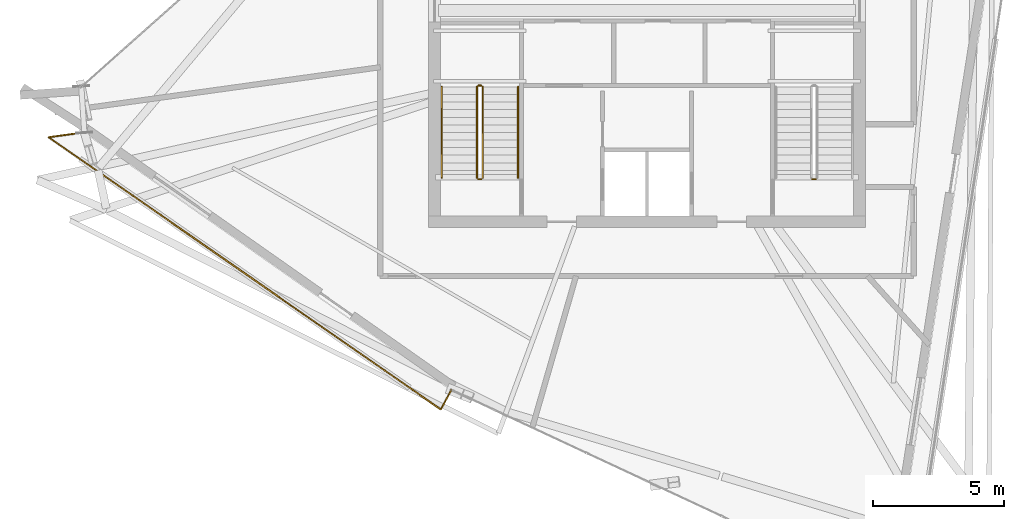
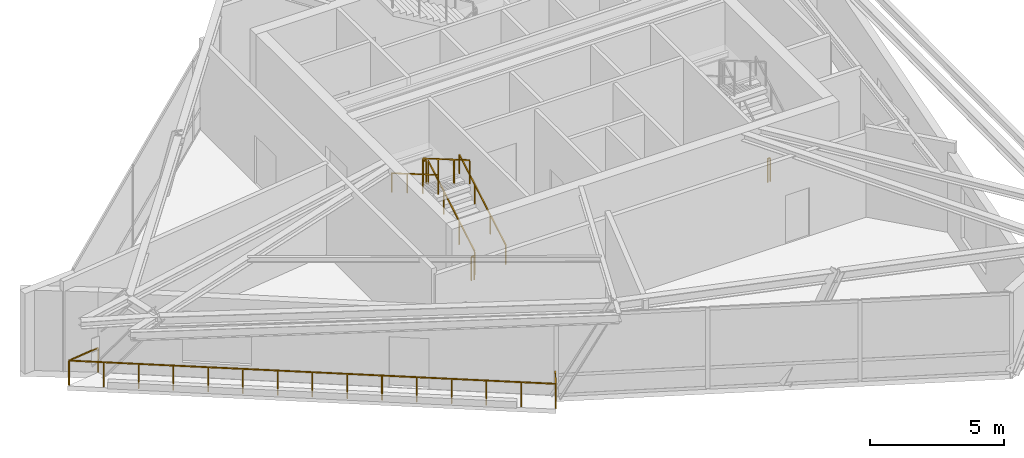
# One storey, part 20 of 22: 8 railings.
"""IFC4 building model written with IfcOpenShell, lengths in metres."""

import ifcopenshell
import ifcopenshell.guid

model = None  # the IFC model being written
_history = None  # IfcOwnerHistory: only IFC2X3 demands one
_inside = {}  # id of a spatial element -> (the spatial element, [elements in it])
_under = {}  # id of a project, library or spatial element -> (it, [spatial elements below it])
_declared = {}  # id of a project -> (the project, [libraries it declares])
_typed = {}  # id of a type object -> (the type object, [elements of that type])
_made_of = {}  # id of a material, layer set ... -> (it, [elements and type objects made of it])


def new_model(schema):
    """Start an empty IFC model of exactly this schema.

    Asked for "IFC4X3", IfcOpenShell would pick the latest addendum, in which some entities
    have other attributes; the version numbers below select the first issue.
    IFC2X3 requires an IfcOwnerHistory on every rooted entity: one is made here for all.
    """
    global model, _history
    if schema == "IFC4X3":
        model = ifcopenshell.file(schema_version=(4, 3, 0, 0))
    else:
        model = ifcopenshell.file(schema=schema)
    _inside.clear()
    _under.clear()
    _declared.clear()
    _typed.clear()
    _made_of.clear()
    _history = None
    if model.schema == "IFC2X3":
        org = make("IfcOrganization", Name="unknown")
        user = make(
            "IfcPersonAndOrganization",
            ThePerson=make("IfcPerson", FamilyName="unknown"),
            TheOrganization=org,
        )
        app = make(
            "IfcApplication",
            ApplicationDeveloper=org,
            Version="unknown",
            ApplicationFullName="unknown",
            ApplicationIdentifier="unknown",
        )
        _history = make(
            "IfcOwnerHistory",
            OwningUser=user,
            OwningApplication=app,
            ChangeAction="ADDED",
            CreationDate=0,
        )
    return model


def make(cls, **values):
    """One entity of the class cls with the attributes given. An attribute that is None is left unset."""
    return model.create_entity(
        cls, **{name: value for name, value in values.items() if value is not None}
    )


def rooted(cls, **values):
    """An entity with a GlobalId (a new one), such as an element, a storey or a relation."""
    return make(cls, GlobalId=ifcopenshell.guid.new(), OwnerHistory=_history, **values)


def si_unit(unit_type, name, prefix=None):
    """IfcSIUnit, for example si_unit("LENGTHUNIT", "METRE", prefix="MILLI")."""
    return make("IfcSIUnit", UnitType=unit_type, Prefix=prefix, Name=name)


def assignment(units):
    """IfcUnitAssignment: the units of a project."""
    return None if units is None else make("IfcUnitAssignment", Units=units)


def point(xyz):
    """IfcCartesianPoint."""
    return None if xyz is None else make("IfcCartesianPoint", Coordinates=xyz)


def direction(xyz):
    """IfcDirection."""
    return None if xyz is None else make("IfcDirection", DirectionRatios=xyz)


def frame(location, z_axis=None, x_axis=None):
    """IfcAxis2Placement3D, a coordinate frame: its origin and axes. An axis left out is left unset."""
    return make(
        "IfcAxis2Placement3D",
        Location=point(location),
        Axis=direction(z_axis),
        RefDirection=direction(x_axis),
    )


def frame_2d(location, x_axis=None):
    """IfcAxis2Placement2D, a coordinate frame in the plane: its origin and x axis."""
    return make(
        "IfcAxis2Placement2D", Location=point(location), RefDirection=direction(x_axis)
    )


def origin():
    """The frame at (0, 0, 0) with its axes left unset."""
    return frame((0.0, 0.0, 0.0))


def origin_2d():
    """The frame at (0, 0) in the plane with its x axis left unset."""
    return frame_2d((0.0, 0.0))


def place(relative_to, where):
    """IfcLocalPlacement: puts the frame where relative to a parent placement (None: the world)."""
    return make(
        "IfcLocalPlacement", PlacementRelTo=relative_to, RelativePlacement=where
    )


def context(
    kind, dimensions, precision=None, world=None, true_north=None, identifier=None
):
    """IfcGeometricRepresentationContext, for example the 3D "Model" context."""
    return make(
        "IfcGeometricRepresentationContext",
        ContextIdentifier=identifier,
        ContextType=kind,
        CoordinateSpaceDimension=dimensions,
        Precision=precision,
        WorldCoordinateSystem=world,
        TrueNorth=true_north,
    )


def subcontext(parent, identifier, kind, view, scale=None):
    """IfcGeometricRepresentationSubContext, for example "Body" below "Model"."""
    return make(
        "IfcGeometricRepresentationSubContext",
        ContextIdentifier=identifier,
        ContextType=kind,
        ParentContext=parent,
        TargetScale=scale,
        TargetView=view,
    )


def project(units=None, contexts=None):
    """IfcProject with its units and contexts."""
    return rooted(
        "IfcProject",
        Name="project",
        RepresentationContexts=contexts,
        UnitsInContext=assignment(units),
    )


def spatial(cls, under=None, at=None, **own):
    """A site, building, storey or space (cls), placed at a placement, below another one or the project."""
    s = rooted(cls, ObjectPlacement=at, **own)
    if under is not None:
        _under.setdefault(under.id(), (under, []))[1].append(s)
    return s


def profile(cls, at=None, kind="AREA", **sizes):
    """A parametric profile (cls). Its sizes go by their IFC names, for example OverallWidth=200.0."""
    return make(cls, ProfileType=kind, Position=at, **sizes)


def rectangle(**sizes):
    """IfcRectangleProfileDef."""
    return profile("IfcRectangleProfileDef", **sizes)


def extrude(swept, where, along, depth):
    """IfcExtrudedAreaSolid: the profile swept, set in the frame where, extruded along a direction by depth."""
    return make(
        "IfcExtrudedAreaSolid",
        SweptArea=swept,
        Position=where,
        ExtrudedDirection=direction(along),
        Depth=depth,
    )


def shape(context_of_items, identifier, shape_type, items):
    """IfcShapeRepresentation: the items that make up one representation, for example the "Body"."""
    return make(
        "IfcShapeRepresentation",
        ContextOfItems=context_of_items,
        RepresentationIdentifier=identifier,
        RepresentationType=shape_type,
        Items=items,
    )


def material(Name=None, Category=None):
    """IfcMaterial."""
    return make("IfcMaterial", Name=Name, Category=Category)


def made_of(thing, what):
    """Note that an element or type object is made of a material, layer set ...; save() writes the relation."""
    if what is not None:
        _made_of.setdefault(what.id(), (what, []))[1].append(thing)
    return thing


def type_object(cls, material=None, **own):
    """A type object (cls), such as IfcWallType, which elements share."""
    return made_of(rooted(cls, **own), material)


def element(
    cls,
    number,
    at=None,
    inside=None,
    cuts=None,
    type_object=None,
    material=None,
    context=None,
    identifier="Body",
    shape_type=None,
    held_by="IfcProductDefinitionShape",
    body=None,
    shapes=None,
    **own,
):
    """One element of the class cls, such as IfcWall. Its Tag is "e" and its number.

    at: its placement. inside: the storey or other place that contains it. cuts: it is an
    opening in that element (IfcRelVoidsElement). A single representation is given by context,
    identifier, shape_type and body (its items); several are given by shapes. held_by: the class
    of the entity that holds the representations. save() writes the other relations.
    """
    e = rooted(cls, Tag="e%d" % number, ObjectPlacement=at, **own)
    if body is not None:
        shapes = [shape(context, identifier, shape_type, body)]
    if shapes is not None:
        e.Representation = make(held_by, Representations=shapes)
    if inside is not None:
        _inside.setdefault(inside.id(), (inside, []))[1].append(e)
    if cuts is not None:
        rooted(
            "IfcRelVoidsElement", RelatingBuildingElement=cuts, RelatedOpeningElement=e
        )
    if type_object is not None:
        _typed.setdefault(type_object.id(), (type_object, []))[1].append(e)
    return made_of(e, material)


def aggregate(whole, parts):
    """IfcRelAggregates: a whole, such as a stair, and the parts it consists of."""
    return rooted("IfcRelAggregates", RelatingObject=whole, RelatedObjects=parts)


def save(model, path):
    """Write the relations noted so far, then the file.

    IfcRelAggregates (storeys below a building ...), IfcRelContainedInSpatialStructure (elements
    in a storey), IfcRelDefinesByType, IfcRelAssociatesMaterial and IfcRelDeclares: one each for
    every whole, place, type object, material and project.
    """
    for whole, parts in _under.values():
        aggregate(whole, parts)
    for where, things in _inside.values():
        rooted(
            "IfcRelContainedInSpatialStructure",
            RelatedElements=things,
            RelatingStructure=where,
        )
    for kind, things in _typed.values():
        rooted("IfcRelDefinesByType", RelatedObjects=things, RelatingType=kind)
    for what, things in _made_of.values():
        rooted("IfcRelAssociatesMaterial", RelatedObjects=things, RelatingMaterial=what)
    for by, libraries in _declared.values():
        rooted("IfcRelDeclares", RelatingContext=by, RelatedDefinitions=libraries)
    model.write(path)


model = new_model("IFC4")

# Units and contexts
model_context = context("Model", 3, precision=1e-05, world=origin(), true_north=direction((0.0, 1.0)))
body_context = subcontext(model_context, "Body", "Model", "MODEL_VIEW")
ifc_project = project(units=[si_unit("LENGTHUNIT", "METRE"), si_unit("AREAUNIT", "SQUARE_METRE"), si_unit("VOLUMEUNIT", "CUBIC_METRE"), si_unit("PLANEANGLEUNIT", "RADIAN"), si_unit("MASSUNIT", "GRAM", prefix="KILO")], contexts=[model_context])

# Site, building, storey
site_placement = place(None, origin())
site = spatial("IfcSite", under=ifc_project, at=site_placement, CompositionType="ELEMENT")
building_placement = place(site_placement, origin())
building = spatial("IfcBuilding", under=site, at=building_placement, Name="Olszyna Solenne Hotel", CompositionType="ELEMENT")
storey_placement = place(building_placement, frame((0.0, 0.0, 286.10009765625)))
storey = spatial("IfcBuildingStorey", under=building, at=storey_placement, Name="L76", CompositionType="ELEMENT", Elevation=286.10009765625)

# Railings
ifc_material_1 = material(Name="Anodised bronze aluminium", Category="aluminium")
railing_type_1 = type_object("IfcRailingType", Name="GR-110", PredefinedType="BALUSTRADE", material=ifc_material_1)
railing_1_placement = place(storey_placement, frame((16.485107421875, 22.693359375, 0.0)))
element("IfcRailing", 1, at=railing_1_placement, inside=storey, type_object=railing_type_1, Name="Loggia balcony balustrade guard GR-L76-LG2", PredefinedType="BALUSTRADE", context=body_context, shape_type="SweptSolid", body=[
    extrude(rectangle(XDim=0.048095703125, YDim=0.048095703125, at=origin_2d()), frame((0.0, 0.0, 1.1259765625), z_axis=(-0.990835553558, -0.135073705086, 0.0), x_axis=(0.135073705086, -0.990835553558, 0.0)), (0.0, 0.0, 1.0), 1.379150390625),
    extrude(rectangle(XDim=0.048095703125, YDim=0.048095703125, at=origin_2d()), frame((-1.366455078125, -0.186279296875, 1.1259765625), z_axis=(0.821531096547, -0.570163711056, 0.0), x_axis=(0.570163711056, 0.821531096547, 0.0)), (0.0, 0.0, 1.0), 18.255615234375),
    extrude(rectangle(XDim=0.048095703125, YDim=0.048095703125, at=origin_2d()), frame((13.631103515625, -10.594970703125, 1.1259765625), z_axis=(0.475390249687, 0.87977503403, 0.0), x_axis=(-0.87977503403, 0.475390249687, 0.0)), (0.0, 0.0, 1.0), 0.845947265625),
    extrude(rectangle(XDim=0.0419921875, YDim=0.0419921875, at=origin_2d()), origin(), (0.0, 0.0, 1.0), 1.101806640625),
    extrude(rectangle(XDim=0.0419921875, YDim=0.0419921875, at=origin_2d()), frame((-1.366455078125, -0.186279296875, 0.0)), (0.0, 0.0, 1.0), 1.101806640625),
    extrude(rectangle(XDim=0.0419921875, YDim=0.0419921875, at=origin_2d()), frame((-0.295166015625, -0.9296875, 0.0)), (0.0, 0.0, 1.0), 1.101806640625),
    extrude(rectangle(XDim=0.0419921875, YDim=0.0419921875, at=origin_2d()), frame((0.776123046875, -1.67333984375, 0.0)), (0.0, 0.0, 1.0), 1.101806640625),
    extrude(rectangle(XDim=0.0419921875, YDim=0.0419921875, at=origin_2d()), frame((1.847412109375, -2.416748046875, 0.0)), (0.0, 0.0, 1.0), 1.101806640625),
    extrude(rectangle(XDim=0.0419921875, YDim=0.0419921875, at=origin_2d()), frame((2.91845703125, -3.16015625, 0.0)), (0.0, 0.0, 1.0), 1.101806640625),
    extrude(rectangle(XDim=0.0419921875, YDim=0.0419921875, at=origin_2d()), frame((3.98974609375, -3.903564453125, 0.0)), (0.0, 0.0, 1.0), 1.101806640625),
    extrude(rectangle(XDim=0.0419921875, YDim=0.0419921875, at=origin_2d()), frame((5.06103515625, -4.647216796875, 0.0)), (0.0, 0.0, 1.0), 1.101806640625),
    extrude(rectangle(XDim=0.0419921875, YDim=0.0419921875, at=origin_2d()), frame((6.13232421875, -5.390625, 0.0)), (0.0, 0.0, 1.0), 1.101806640625),
    extrude(rectangle(XDim=0.0419921875, YDim=0.0419921875, at=origin_2d()), frame((7.20361328125, -6.134033203125, 0.0)), (0.0, 0.0, 1.0), 1.101806640625),
    extrude(rectangle(XDim=0.0419921875, YDim=0.0419921875, at=origin_2d()), frame((8.27490234375, -6.877685546875, 0.0)), (0.0, 0.0, 1.0), 1.101806640625),
    extrude(rectangle(XDim=0.0419921875, YDim=0.0419921875, at=origin_2d()), frame((9.34619140625, -7.62109375, 0.0)), (0.0, 0.0, 1.0), 1.101806640625),
    extrude(rectangle(XDim=0.0419921875, YDim=0.0419921875, at=origin_2d()), frame((10.417236328125, -8.364501953125, 0.0)), (0.0, 0.0, 1.0), 1.101806640625),
    extrude(rectangle(XDim=0.0419921875, YDim=0.0419921875, at=origin_2d()), frame((11.488525390625, -9.10791015625, 0.0)), (0.0, 0.0, 1.0), 1.101806640625),
    extrude(rectangle(XDim=0.0419921875, YDim=0.0419921875, at=origin_2d()), frame((12.559814453125, -9.8515625, 0.0)), (0.0, 0.0, 1.0), 1.101806640625),
    extrude(rectangle(XDim=0.0419921875, YDim=0.0419921875, at=origin_2d()), frame((13.631103515625, -10.594970703125, 0.0)), (0.0, 0.0, 1.0), 1.101806640625),
    extrude(rectangle(XDim=0.0419921875, YDim=0.0419921875, at=origin_2d()), frame((14.033203125, -9.850830078125, 0.0)), (0.0, 0.0, 1.0), 1.101806640625),
])
railing_2_placement = place(storey_placement, frame((31.719970703125, 20.949951171875, 0.169189453125)))
element("IfcRailing", 2, at=railing_2_placement, inside=storey, type_object=railing_type_1, Name="L76 ST1 stair guard 1", PredefinedType="BALUSTRADE", context=body_context, shape_type="SweptSolid", body=[
    extrude(rectangle(XDim=0.048095703125, YDim=0.048095703125, at=origin_2d()), frame((0.0, 0.0, 1.076171875), z_axis=(0.0, 0.863695377172, 0.504014181796), x_axis=(-1.0, 0.0, 0.0)), (0.0, 0.0, 1.0), 4.029296875),
    extrude(rectangle(XDim=0.0419921875, YDim=0.0419921875, at=origin_2d()), origin(), (0.0, 0.0, 1.0), 1.052001953125),
    extrude(rectangle(XDim=0.0419921875, YDim=0.0419921875, at=origin_2d()), frame((0.0, 1.159912109375, 0.677001953125)), (0.0, 0.0, 1.0), 1.052001953125),
    extrude(rectangle(XDim=0.0419921875, YDim=0.0419921875, at=origin_2d()), frame((0.0, 2.320068359375, 1.353759765625)), (0.0, 0.0, 1.0), 1.052001953125),
    extrude(rectangle(XDim=0.0419921875, YDim=0.0419921875, at=origin_2d()), frame((0.0, 3.47998046875, 2.03076171875)), (0.0, 0.0, 1.0), 1.052001953125),
])
railing_3_placement = place(storey_placement, frame((31.669921875, 24.47998046875, 2.199951171875)))
element("IfcRailing", 3, at=railing_3_placement, inside=storey, type_object=railing_type_1, Name="L76 ST1 stair guard 2", PredefinedType="BALUSTRADE", context=body_context, shape_type="SweptSolid", body=[
    extrude(rectangle(XDim=0.048095703125, YDim=0.048095703125, at=origin_2d()), frame((0.0, 0.0, 1.076171875), z_axis=(-1.0, 0.0, 0.0), x_axis=(0.0, -1.0, 0.0)), (0.0, 0.0, 1.0), 0.119873046875),
    extrude(rectangle(XDim=0.0419921875, YDim=0.0419921875, at=origin_2d()), origin(), (0.0, 0.0, 1.0), 1.052001953125),
    extrude(rectangle(XDim=0.0419921875, YDim=0.0419921875, at=origin_2d()), frame((-0.119873046875, 0.0, 0.0)), (0.0, 0.0, 1.0), 1.052001953125),
])
railing_4_placement = place(storey_placement, frame((31.5, 24.429931640625, 2.369140625)))
element("IfcRailing", 4, at=railing_4_placement, inside=storey, type_object=railing_type_1, Name="L76 ST1 stair guard 3", PredefinedType="BALUSTRADE", context=body_context, shape_type="SweptSolid", body=[
    extrude(rectangle(XDim=0.048095703125, YDim=0.048095703125, at=origin_2d()), frame((0.0, 0.0, 1.076171875), z_axis=(0.0, -0.863695377172, 0.504014181796), x_axis=(1.0, 0.0, 0.0)), (0.0, 0.0, 1.0), 4.029296875),
    extrude(rectangle(XDim=0.0419921875, YDim=0.0419921875, at=origin_2d()), origin(), (0.0, 0.0, 1.0), 1.052001953125),
    extrude(rectangle(XDim=0.0419921875, YDim=0.0419921875, at=origin_2d()), frame((0.0, -1.159912109375, 0.677001953125)), (0.0, 0.0, 1.0), 1.052001953125),
    extrude(rectangle(XDim=0.0419921875, YDim=0.0419921875, at=origin_2d()), frame((0.0, -2.320068359375, 1.353759765625)), (0.0, 0.0, 1.0), 1.052001953125),
    extrude(rectangle(XDim=0.0419921875, YDim=0.0419921875, at=origin_2d()), frame((0.0, -3.47998046875, 2.03076171875)), (0.0, 0.0, 1.0), 1.052001953125),
])
for number, where, name in (
    (5, (31.669921875, 20.89990234375, 0.0), "L76 ST1 stair guard 4"),
    (6, (44.449951171875, 20.89990234375, 0.0), "L76 ST2 stair guard 4"),
):
    element("IfcRailing", number, at=place(storey_placement, frame(where)), inside=storey, type_object=railing_type_1, Name=name, PredefinedType="BALUSTRADE", context=body_context, shape_type="SweptSolid", body=[
        extrude(rectangle(XDim=0.048095703125, YDim=0.048095703125, at=origin_2d()), frame((0.0, 0.0, 1.076171875), z_axis=(-1.0, 0.0, 0.0), x_axis=(0.0, -1.0, 0.0)), (0.0, 0.0, 1.0), 0.119873046875),
        extrude(rectangle(XDim=0.0419921875, YDim=0.0419921875, at=origin_2d()), origin(), (0.0, 0.0, 1.0), 1.052001953125),
        extrude(rectangle(XDim=0.0419921875, YDim=0.0419921875, at=origin_2d()), frame((-0.119873046875, 0.0, 0.0)), (0.0, 0.0, 1.0), 1.052001953125),
    ])
ifc_material_2 = material(Name="Steel S355J2", Category="steel")
railing_type_2 = type_object("IfcRailingType", Name="HR-090", PredefinedType="HANDRAIL", material=ifc_material_2)
railing_5_placement = place(storey_placement, frame((33.070068359375, 20.949951171875, 0.169189453125)))
element("IfcRailing", 7, at=railing_5_placement, inside=storey, type_object=railing_type_2, Name="L76 ST1 stair handrail 1", PredefinedType="HANDRAIL", context=body_context, shape_type="SweptSolid", body=[
    extrude(rectangle(XDim=0.048095703125, YDim=0.048095703125, at=origin_2d()), frame((0.0, 0.0, 0.8759765625), z_axis=(0.0, 0.863695377172, 0.504014181796), x_axis=(-1.0, 0.0, 0.0)), (0.0, 0.0, 1.0), 4.029296875),
    extrude(rectangle(XDim=0.0419921875, YDim=0.0419921875, at=origin_2d()), origin(), (0.0, 0.0, 1.0), 0.851806640625),
    extrude(rectangle(XDim=0.0419921875, YDim=0.0419921875, at=origin_2d()), frame((0.0, 1.159912109375, 0.677001953125)), (0.0, 0.0, 1.0), 0.851806640625),
    extrude(rectangle(XDim=0.0419921875, YDim=0.0419921875, at=origin_2d()), frame((0.0, 2.320068359375, 1.353759765625)), (0.0, 0.0, 1.0), 0.851806640625),
    extrude(rectangle(XDim=0.0419921875, YDim=0.0419921875, at=origin_2d()), frame((0.0, 3.47998046875, 2.03076171875)), (0.0, 0.0, 1.0), 0.851806640625),
])
railing_6_placement = place(storey_placement, frame((30.14990234375, 24.429931640625, 2.369140625)))
element("IfcRailing", 8, at=railing_6_placement, inside=storey, type_object=railing_type_2, Name="L76 ST1 stair handrail 2", PredefinedType="HANDRAIL", context=body_context, shape_type="SweptSolid", body=[
    extrude(rectangle(XDim=0.048095703125, YDim=0.048095703125, at=origin_2d()), frame((0.0, 0.0, 0.8759765625), z_axis=(0.0, -0.863695377172, 0.504014181796), x_axis=(1.0, 0.0, 0.0)), (0.0, 0.0, 1.0), 4.029296875),
    extrude(rectangle(XDim=0.0419921875, YDim=0.0419921875, at=origin_2d()), origin(), (0.0, 0.0, 1.0), 0.851806640625),
    extrude(rectangle(XDim=0.0419921875, YDim=0.0419921875, at=origin_2d()), frame((0.0, -1.159912109375, 0.677001953125)), (0.0, 0.0, 1.0), 0.851806640625),
    extrude(rectangle(XDim=0.0419921875, YDim=0.0419921875, at=origin_2d()), frame((0.0, -2.320068359375, 1.353759765625)), (0.0, 0.0, 1.0), 0.851806640625),
    extrude(rectangle(XDim=0.0419921875, YDim=0.0419921875, at=origin_2d()), frame((0.0, -3.47998046875, 2.03076171875)), (0.0, 0.0, 1.0), 0.851806640625),
])

save(model, "model.ifc")
